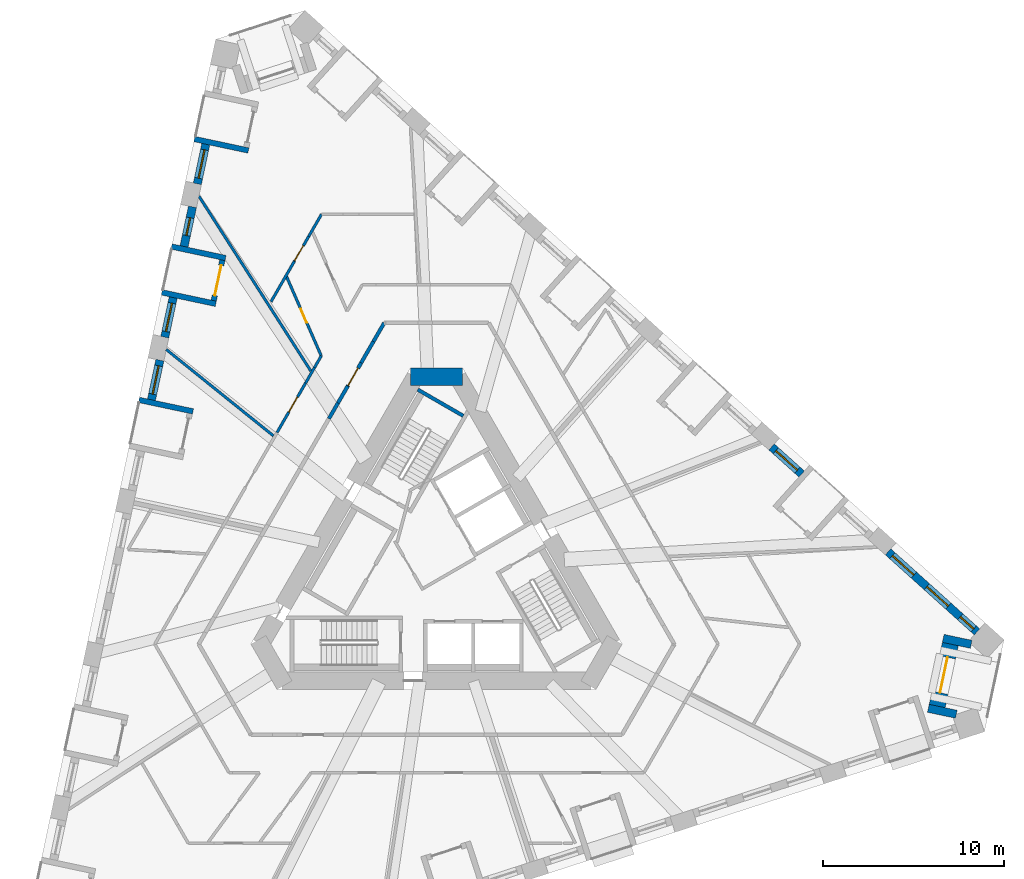
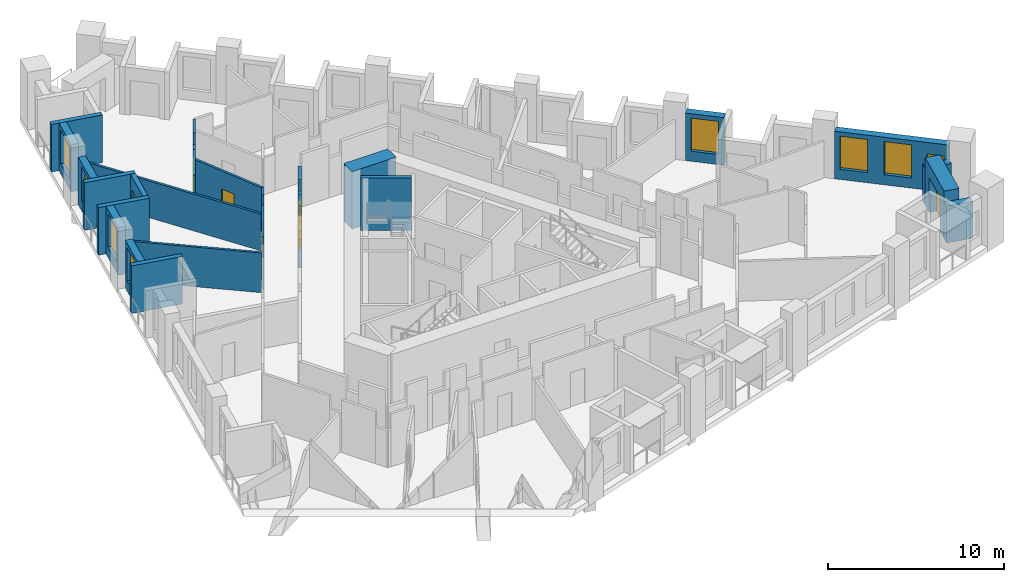
# One storey, part 7 of 12: 30 walls, 8 windows, 6 doors, 14 openings.
"""IFC4 building model written with IfcOpenShell, lengths in metres."""

import ifcopenshell
import ifcopenshell.guid

model = None  # the IFC model being written
_history = None  # IfcOwnerHistory: only IFC2X3 demands one
_inside = {}  # id of a spatial element -> (the spatial element, [elements in it])
_under = {}  # id of a project, library or spatial element -> (it, [spatial elements below it])
_declared = {}  # id of a project -> (the project, [libraries it declares])
_typed = {}  # id of a type object -> (the type object, [elements of that type])
_made_of = {}  # id of a material, layer set ... -> (it, [elements and type objects made of it])


def new_model(schema):
    """Start an empty IFC model of exactly this schema.

    Asked for "IFC4X3", IfcOpenShell would pick the latest addendum, in which some entities
    have other attributes; the version numbers below select the first issue.
    IFC2X3 requires an IfcOwnerHistory on every rooted entity: one is made here for all.
    """
    global model, _history
    if schema == "IFC4X3":
        model = ifcopenshell.file(schema_version=(4, 3, 0, 0))
    else:
        model = ifcopenshell.file(schema=schema)
    _inside.clear()
    _under.clear()
    _declared.clear()
    _typed.clear()
    _made_of.clear()
    _history = None
    if model.schema == "IFC2X3":
        org = make("IfcOrganization", Name="unknown")
        user = make(
            "IfcPersonAndOrganization",
            ThePerson=make("IfcPerson", FamilyName="unknown"),
            TheOrganization=org,
        )
        app = make(
            "IfcApplication",
            ApplicationDeveloper=org,
            Version="unknown",
            ApplicationFullName="unknown",
            ApplicationIdentifier="unknown",
        )
        _history = make(
            "IfcOwnerHistory",
            OwningUser=user,
            OwningApplication=app,
            ChangeAction="ADDED",
            CreationDate=0,
        )
    return model


def make(cls, **values):
    """One entity of the class cls with the attributes given. An attribute that is None is left unset."""
    return model.create_entity(
        cls, **{name: value for name, value in values.items() if value is not None}
    )


def rooted(cls, **values):
    """An entity with a GlobalId (a new one), such as an element, a storey or a relation."""
    return make(cls, GlobalId=ifcopenshell.guid.new(), OwnerHistory=_history, **values)


def si_unit(unit_type, name, prefix=None):
    """IfcSIUnit, for example si_unit("LENGTHUNIT", "METRE", prefix="MILLI")."""
    return make("IfcSIUnit", UnitType=unit_type, Prefix=prefix, Name=name)


def assignment(units):
    """IfcUnitAssignment: the units of a project."""
    return None if units is None else make("IfcUnitAssignment", Units=units)


def point(xyz):
    """IfcCartesianPoint."""
    return None if xyz is None else make("IfcCartesianPoint", Coordinates=xyz)


def direction(xyz):
    """IfcDirection."""
    return None if xyz is None else make("IfcDirection", DirectionRatios=xyz)


def frame(location, z_axis=None, x_axis=None):
    """IfcAxis2Placement3D, a coordinate frame: its origin and axes. An axis left out is left unset."""
    return make(
        "IfcAxis2Placement3D",
        Location=point(location),
        Axis=direction(z_axis),
        RefDirection=direction(x_axis),
    )


def frame_2d(location, x_axis=None):
    """IfcAxis2Placement2D, a coordinate frame in the plane: its origin and x axis."""
    return make(
        "IfcAxis2Placement2D", Location=point(location), RefDirection=direction(x_axis)
    )


def origin():
    """The frame at (0, 0, 0) with its axes left unset."""
    return frame((0.0, 0.0, 0.0))


def place(relative_to, where):
    """IfcLocalPlacement: puts the frame where relative to a parent placement (None: the world)."""
    return make(
        "IfcLocalPlacement", PlacementRelTo=relative_to, RelativePlacement=where
    )


def context(
    kind, dimensions, precision=None, world=None, true_north=None, identifier=None
):
    """IfcGeometricRepresentationContext, for example the 3D "Model" context."""
    return make(
        "IfcGeometricRepresentationContext",
        ContextIdentifier=identifier,
        ContextType=kind,
        CoordinateSpaceDimension=dimensions,
        Precision=precision,
        WorldCoordinateSystem=world,
        TrueNorth=true_north,
    )


def subcontext(parent, identifier, kind, view, scale=None):
    """IfcGeometricRepresentationSubContext, for example "Body" below "Model"."""
    return make(
        "IfcGeometricRepresentationSubContext",
        ContextIdentifier=identifier,
        ContextType=kind,
        ParentContext=parent,
        TargetScale=scale,
        TargetView=view,
    )


def project(units=None, contexts=None):
    """IfcProject with its units and contexts."""
    return rooted(
        "IfcProject",
        Name="project",
        RepresentationContexts=contexts,
        UnitsInContext=assignment(units),
    )


def spatial(cls, under=None, at=None, **own):
    """A site, building, storey or space (cls), placed at a placement, below another one or the project."""
    s = rooted(cls, ObjectPlacement=at, **own)
    if under is not None:
        _under.setdefault(under.id(), (under, []))[1].append(s)
    return s


def polyline(points):
    """IfcPolyline through the points."""
    return make("IfcPolyline", Points=[point(p) for p in points])


def profile(cls, at=None, kind="AREA", **sizes):
    """A parametric profile (cls). Its sizes go by their IFC names, for example OverallWidth=200.0."""
    return make(cls, ProfileType=kind, Position=at, **sizes)


def rectangle(**sizes):
    """IfcRectangleProfileDef."""
    return profile("IfcRectangleProfileDef", **sizes)


def outline(outer, holes=None, kind="AREA"):
    """IfcArbitraryClosedProfileDef: a profile drawn as a closed curve; with holes, ...WithVoids."""
    if holes is None:
        return make("IfcArbitraryClosedProfileDef", ProfileType=kind, OuterCurve=outer)
    return make(
        "IfcArbitraryProfileDefWithVoids",
        ProfileType=kind,
        OuterCurve=outer,
        InnerCurves=holes,
    )


def extrude(swept, where, along, depth):
    """IfcExtrudedAreaSolid: the profile swept, set in the frame where, extruded along a direction by depth."""
    return make(
        "IfcExtrudedAreaSolid",
        SweptArea=swept,
        Position=where,
        ExtrudedDirection=direction(along),
        Depth=depth,
    )


def shape(context_of_items, identifier, shape_type, items):
    """IfcShapeRepresentation: the items that make up one representation, for example the "Body"."""
    return make(
        "IfcShapeRepresentation",
        ContextOfItems=context_of_items,
        RepresentationIdentifier=identifier,
        RepresentationType=shape_type,
        Items=items,
    )


def material(Name=None, Category=None):
    """IfcMaterial."""
    return make("IfcMaterial", Name=Name, Category=Category)


def layer(
    of_material, thickness, ventilated=None, Name=None, Category=None, Priority=None
):
    """IfcMaterialLayer: one layer of a wall or slab, of a material (None: an air gap)."""
    return make(
        "IfcMaterialLayer",
        Material=of_material,
        LayerThickness=thickness,
        IsVentilated=ventilated,
        Name=Name,
        Category=Category,
        Priority=Priority,
    )


def layer_set(layers, Name=None):
    """IfcMaterialLayerSet."""
    return make("IfcMaterialLayerSet", MaterialLayers=layers, LayerSetName=Name)


def made_of(thing, what):
    """Note that an element or type object is made of a material, layer set ...; save() writes the relation."""
    if what is not None:
        _made_of.setdefault(what.id(), (what, []))[1].append(thing)
    return thing


def type_object(cls, material=None, **own):
    """A type object (cls), such as IfcWallType, which elements share."""
    return made_of(rooted(cls, **own), material)


def element(
    cls,
    number,
    at=None,
    inside=None,
    cuts=None,
    type_object=None,
    material=None,
    context=None,
    identifier="Body",
    shape_type=None,
    held_by="IfcProductDefinitionShape",
    body=None,
    shapes=None,
    **own,
):
    """One element of the class cls, such as IfcWall. Its Tag is "e" and its number.

    at: its placement. inside: the storey or other place that contains it. cuts: it is an
    opening in that element (IfcRelVoidsElement). A single representation is given by context,
    identifier, shape_type and body (its items); several are given by shapes. held_by: the class
    of the entity that holds the representations. save() writes the other relations.
    """
    e = rooted(cls, Tag="e%d" % number, ObjectPlacement=at, **own)
    if body is not None:
        shapes = [shape(context, identifier, shape_type, body)]
    if shapes is not None:
        e.Representation = make(held_by, Representations=shapes)
    if inside is not None:
        _inside.setdefault(inside.id(), (inside, []))[1].append(e)
    if cuts is not None:
        rooted(
            "IfcRelVoidsElement", RelatingBuildingElement=cuts, RelatedOpeningElement=e
        )
    if type_object is not None:
        _typed.setdefault(type_object.id(), (type_object, []))[1].append(e)
    return made_of(e, material)


def fill(opening, filler):
    """IfcRelFillsElement: the door or window that sits in an opening."""
    return rooted(
        "IfcRelFillsElement",
        RelatingOpeningElement=opening,
        RelatedBuildingElement=filler,
    )


def aggregate(whole, parts):
    """IfcRelAggregates: a whole, such as a stair, and the parts it consists of."""
    return rooted("IfcRelAggregates", RelatingObject=whole, RelatedObjects=parts)


def save(model, path):
    """Write the relations noted so far, then the file.

    IfcRelAggregates (storeys below a building ...), IfcRelContainedInSpatialStructure (elements
    in a storey), IfcRelDefinesByType, IfcRelAssociatesMaterial and IfcRelDeclares: one each for
    every whole, place, type object, material and project.
    """
    for whole, parts in _under.values():
        aggregate(whole, parts)
    for where, things in _inside.values():
        rooted(
            "IfcRelContainedInSpatialStructure",
            RelatedElements=things,
            RelatingStructure=where,
        )
    for kind, things in _typed.values():
        rooted("IfcRelDefinesByType", RelatedObjects=things, RelatingType=kind)
    for what, things in _made_of.values():
        rooted("IfcRelAssociatesMaterial", RelatedObjects=things, RelatingMaterial=what)
    for by, libraries in _declared.values():
        rooted("IfcRelDeclares", RelatingContext=by, RelatedDefinitions=libraries)
    model.write(path)


model = new_model("IFC4")

# Units and contexts
model_context = context("Model", 3, precision=1e-05, world=origin(), true_north=direction((0.0, 1.0)))
body_context = subcontext(model_context, "Body", "Model", "MODEL_VIEW")
ifc_project = project(units=[si_unit("LENGTHUNIT", "METRE"), si_unit("AREAUNIT", "SQUARE_METRE"), si_unit("VOLUMEUNIT", "CUBIC_METRE"), si_unit("PLANEANGLEUNIT", "RADIAN"), si_unit("MASSUNIT", "GRAM", prefix="KILO")], contexts=[model_context])

# Site, building, storey
site_placement = place(None, origin())
site = spatial("IfcSite", under=ifc_project, at=site_placement, CompositionType="ELEMENT")
building_placement = place(site_placement, origin())
building = spatial("IfcBuilding", under=site, at=building_placement, Name="Tramontana Tower", CompositionType="ELEMENT")
storey_placement = place(building_placement, frame((0.0, 0.0, 88.39990234375)))
storey = spatial("IfcBuildingStorey", under=building, at=storey_placement, Name="L19", CompositionType="ELEMENT", Elevation=88.39990234375)

# Walls
ifc_material_1 = material(Name="Concrete 70 MPa", Category="concrete")
ifc_layer_1 = layer(ifc_material_1, 0.949951171875)
ifc_layer_set_1 = layer_set([ifc_layer_1], Name="Core wall 950 70 MPa")
wall_type_1 = type_object("IfcWallType", Name="Core wall 950 70 MPa", PredefinedType="SHEAR", material=ifc_layer_set_1)
wall_1_placement = place(storey_placement, frame((1.443359375, 10.52490234375, 0.0), z_axis=(0.0, 0.0, 1.0), x_axis=(-1.0, 0.0, 0.0)))
element("IfcWall", 1, at=wall_1_placement, inside=storey, type_object=wall_type_1, Name="Core wall C0 L19", PredefinedType="SHEAR", context=body_context, shape_type="SweptSolid", body=[
    extrude(rectangle(XDim=2.88671875, YDim=0.949951171875, at=frame_2d((1.443359375, 0.0))), origin(), (0.0, 0.0, 1.0), 4.0),
])
ifc_material_2 = material(Name="Blockwork", Category="masonry")
ifc_layer_2 = layer(ifc_material_2, 0.199951171875)
ifc_layer_set_2 = layer_set([ifc_layer_2], Name="ENTRY WALL 200")
wall_type_2 = type_object("IfcWallType", Name="ENTRY WALL 200", PredefinedType="SOLIDWALL", material=ifc_layer_set_2)
wall_2_placement = place(storey_placement, frame((-5.944091796875, 8.20458984375, 0.0), z_axis=(0.0, 0.0, 1.0), x_axis=(0.500051323872, 0.865995769906, 0.0)))
element("IfcWall", 2, at=wall_2_placement, inside=storey, type_object=wall_type_2, Name="Wall v20-ew4-7", PredefinedType="SOLIDWALL", context=body_context, shape_type="SweptSolid", body=[
    extrude(rectangle(XDim=1.0068359375, YDim=0.199951171875, at=frame_2d((0.50341796875, 0.0))), origin(), (0.0, 0.0, 1.0), 2.550048828125),
])
wall_3_placement = place(storey_placement, frame((-5.440673828125, 9.076416015625, 0.0), z_axis=(0.0, 0.0, 1.0), x_axis=(0.499920058375, 0.866071553184, 0.0)))
element("IfcWall", 3, at=wall_3_placement, inside=storey, type_object=wall_type_2, Name="Wall v20-ew4-8", PredefinedType="SOLIDWALL", context=body_context, shape_type="SweptSolid", body=[
    extrude(rectangle(XDim=1.069580078125, YDim=0.199951171875, at=frame_2d((0.53466796875, 0.0))), origin(), (0.0, 0.0, 1.0), 3.650146484375),
])

# Wall, opening, door
wall_4_placement = place(storey_placement, frame((-4.906005859375, 10.002685546875, 0.0), z_axis=(0.0, 0.0, 1.0), x_axis=(0.500096935553, 0.865969430783, 0.0)))
wall_4 = element("IfcWall", 4, at=wall_4_placement, inside=storey, type_object=wall_type_2, Name="Wall v20-ew4-9", PredefinedType="SOLIDWALL", context=body_context, shape_type="SweptSolid", body=[
    extrude(outline(polyline([(0.0, 0.0), (1.486083984375, 0.0), (1.48583984375, 2.550048828125), (0.349853515625, 2.550048828125), (0.349853515625, 3.650146484375), (0.0, 3.650146484375), (0.0, 0.0)])), frame((0.0, 0.10009765625, 0.0), z_axis=(0.0, -1.0, 0.0), x_axis=(1.0, 0.0, 0.0)), (0.0, 0.0, 1.0), 0.199951171875),
])
opening_1_placement = place(wall_4_placement, frame((0.050048828125, 0.0, 0.0)))
opening_1 = element("IfcOpeningElement", 5, at=opening_1_placement, cuts=wall_4, Name="Opening B2A-22", PredefinedType="OPENING", context=body_context, shape_type="SweptSolid", body=[
    extrude(rectangle(XDim=1.10009765625, YDim=2.39990234375, at=frame_2d((0.550048828125, 1.199951171875))), frame((0.0, 0.10986328125, 0.0), z_axis=(0.0, -1.0, 0.0), x_axis=(1.0, 0.0, 0.0)), (0.0, 0.0, 1.0), 0.219970703125),
])
ifc_material_3 = material(Name="Painted timber", Category="wood")
door_type_1 = type_object("IfcDoorType", Name="DOOR ENTRY 1100", OperationType="SINGLE_SWING_LEFT", PredefinedType="DOOR", material=ifc_material_3)
door_1_placement = place(opening_1_placement, origin())
door_1 = element("IfcDoor", 6, at=door_1_placement, inside=storey, type_object=door_type_1, Name="Door B2A-22", OperationType="SINGLE_SWING_RIGHT", OverallHeight=2.39990234375, OverallWidth=1.10009765625, PredefinedType="DOOR", context=body_context, shape_type="SweptSolid", body=[
    extrude(rectangle(XDim=1.10009765625, YDim=2.39990234375, at=frame_2d((0.550048828125, 1.199951171875))), frame((0.0, 0.02490234375, 0.0), z_axis=(0.0, -1.0, 0.0), x_axis=(1.0, 0.0, 0.0)), (0.0, 0.0, 1.0), 0.050048828125),
])
fill(opening_1, door_1)

# Walls
wall_5_placement = place(storey_placement, frame((-4.162841796875, 11.28955078125, 0.0), z_axis=(0.0, 0.0, 1.0), x_axis=(0.499903734186, 0.866080975745, 0.0)))
element("IfcWall", 7, at=wall_5_placement, inside=storey, type_object=wall_type_2, Name="Wall v20-ew4-10", PredefinedType="SOLIDWALL", context=body_context, shape_type="SweptSolid", body=[
    extrude(rectangle(XDim=1.360107421875, YDim=0.199951171875, at=frame_2d((0.68017578125, 0.0))), origin(), (0.0, 0.0, 1.0), 3.650146484375),
])
wall_6_placement = place(storey_placement, frame((-3.48291015625, 12.467529296875, 0.0), z_axis=(0.0, 0.0, 1.0), x_axis=(0.500059236744, 0.865991200733, 0.0)))
element("IfcWall", 8, at=wall_6_placement, inside=storey, type_object=wall_type_2, Name="Wall v20-ew4-11", PredefinedType="SOLIDWALL", context=body_context, shape_type="SweptSolid", body=[
    extrude(rectangle(XDim=1.192138671875, YDim=0.199951171875, at=frame_2d((0.59619140625, 0.0))), origin(), (0.0, 0.0, 1.0), 2.550048828125),
])

# Wall, opening, window
ifc_material_4 = material(Name="Precast concrete 60 MPa", Category="concrete")
ifc_layer_3 = layer(ifc_material_4, 0.449951171875)
ifc_layer_set_3 = layer_set([ifc_layer_3], Name="Precast concrete 60 MPa, 450 mm")
wall_type_3 = type_object("IfcWallType", Name="EW1 Stone-faced precast wall 450", PredefinedType="SOLIDWALL", material=ifc_layer_set_3)
wall_7_placement = place(storey_placement, frame((-12.7451171875, 23.36767578125, 0.0), z_axis=(0.0, 0.0, 1.0), x_axis=(-0.207941001029, -0.978141370197, 0.0)))
wall_7 = element("IfcWall", 9, at=wall_7_placement, inside=storey, type_object=wall_type_3, Name="External wall L19 face 0 bay 1", PredefinedType="SOLIDWALL", context=body_context, shape_type="SweptSolid", body=[
    extrude(rectangle(XDim=2.236572265625, YDim=0.449951171875, at=frame_2d((1.1181640625, 0.0))), origin(), (0.0, 0.0, 1.0), 3.300048828125),
])
opening_2_placement = place(wall_7_placement, frame((0.318359375, 0.0, 0.699951171875)))
opening_2 = element("IfcOpeningElement", 10, at=opening_2_placement, cuts=wall_7, Name="Opening M1", PredefinedType="OPENING", context=body_context, shape_type="SweptSolid", body=[
    extrude(rectangle(XDim=1.60009765625, YDim=2.300048828125, at=frame_2d((0.800048828125, 1.14990234375))), frame((0.0, 0.23486328125, 0.0), z_axis=(0.0, -1.0, 0.0), x_axis=(1.0, 0.0, 0.0)), (0.0, 0.0, 1.0), 0.469970703125),
])
ifc_material_5 = material(Name="Aluminum frame, double glazing unit", Category="aluminium")
window_type_1 = type_object("IfcWindowType", Name="M1 Window 1.6 x 2.3", PartitioningType="SINGLE_PANEL", PredefinedType="WINDOW", material=ifc_material_5)
window_1_placement = place(opening_2_placement, origin())
window_1 = element("IfcWindow", 11, at=window_1_placement, inside=storey, type_object=window_type_1, Name="Window M1 L19 face 0 module 3", OverallHeight=2.300048828125, OverallWidth=1.60009765625, PartitioningType="SINGLE_PANEL", PredefinedType="WINDOW", context=body_context, shape_type="SweptSolid", body=[
    extrude(rectangle(XDim=1.60009765625, YDim=2.300048828125, at=frame_2d((0.800048828125, 1.14990234375))), frame((0.0, 0.030029296875, 0.0), z_axis=(0.0, -1.0, 0.0), x_axis=(1.0, 0.0, 0.0)), (0.0, 0.0, 1.0), 0.06005859375),
])
fill(opening_2, window_1)

wall_8_placement = place(storey_placement, frame((-13.48046875, 19.908203125, 0.0), z_axis=(0.0, 0.0, 1.0), x_axis=(-0.207941001029, -0.978141370197, 0.0)))
wall_8 = element("IfcWall", 12, at=wall_8_placement, inside=storey, type_object=wall_type_3, Name="External wall L19 face 0 bay 2", PredefinedType="SOLIDWALL", context=body_context, shape_type="SweptSolid", body=[
    extrude(rectangle(XDim=2.236572265625, YDim=0.449951171875, at=frame_2d((1.1181640625, 0.0))), origin(), (0.0, 0.0, 1.0), 3.300048828125),
])
opening_3_placement = place(wall_8_placement, frame((0.618408203125, 0.0, 0.699951171875)))
opening_3 = element("IfcOpeningElement", 13, at=opening_3_placement, cuts=wall_8, Name="Opening N1", PredefinedType="OPENING", context=body_context, shape_type="SweptSolid", body=[
    extrude(rectangle(XDim=1.0, YDim=2.300048828125, at=frame_2d((0.5, 1.14990234375))), frame((0.0, 0.23486328125, 0.0), z_axis=(0.0, -1.0, 0.0), x_axis=(1.0, 0.0, 0.0)), (0.0, 0.0, 1.0), 0.469970703125),
])
ifc_material_6 = material(Name="Aluminum frame, double glazing unit", Category="aluminium")
window_type_2 = type_object("IfcWindowType", Name="N1 Window 1 x 2.3", PartitioningType="SINGLE_PANEL", PredefinedType="WINDOW", material=ifc_material_6)
window_2_placement = place(opening_3_placement, origin())
window_2 = element("IfcWindow", 14, at=window_2_placement, inside=storey, type_object=window_type_2, Name="Window N1 L19 face 0 module 4", OverallHeight=2.300048828125, OverallWidth=1.0, PartitioningType="SINGLE_PANEL", PredefinedType="WINDOW", context=body_context, shape_type="SweptSolid", body=[
    extrude(rectangle(XDim=1.0, YDim=2.300048828125, at=frame_2d((0.5, 1.14990234375))), frame((0.0, 0.030029296875, 0.0), z_axis=(0.0, -1.0, 0.0), x_axis=(1.0, 0.0, 0.0)), (0.0, 0.0, 1.0), 0.06005859375),
])
fill(opening_3, window_2)

wall_9_placement = place(storey_placement, frame((-14.545654296875, 14.896728515625, 0.0), z_axis=(0.0, 0.0, 1.0), x_axis=(-0.207941001029, -0.978141370197, 0.0)))
wall_9 = element("IfcWall", 15, at=wall_9_placement, inside=storey, type_object=wall_type_3, Name="External wall L19 face 0 bay 2", PredefinedType="SOLIDWALL", context=body_context, shape_type="SweptSolid", body=[
    extrude(rectangle(XDim=2.236572265625, YDim=0.449951171875, at=frame_2d((1.1181640625, 0.0))), origin(), (0.0, 0.0, 1.0), 3.300048828125),
])
opening_4_placement = place(wall_9_placement, frame((0.318359375, 0.0, 0.699951171875)))
opening_4 = element("IfcOpeningElement", 16, at=opening_4_placement, cuts=wall_9, Name="Opening M1", PredefinedType="OPENING", context=body_context, shape_type="SweptSolid", body=[
    extrude(rectangle(XDim=1.60009765625, YDim=2.300048828125, at=frame_2d((0.800048828125, 1.14990234375))), frame((0.0, 0.23486328125, 0.0), z_axis=(0.0, -1.0, 0.0), x_axis=(1.0, 0.0, 0.0)), (0.0, 0.0, 1.0), 0.469970703125),
])
window_3_placement = place(opening_4_placement, origin())
window_3 = element("IfcWindow", 17, at=window_3_placement, inside=storey, type_object=window_type_1, Name="Window M1 L19 face 0 module 6", OverallHeight=2.300048828125, OverallWidth=1.60009765625, PartitioningType="SINGLE_PANEL", PredefinedType="WINDOW", context=body_context, shape_type="SweptSolid", body=[
    extrude(rectangle(XDim=1.60009765625, YDim=2.300048828125, at=frame_2d((0.800048828125, 1.14990234375))), frame((0.0, 0.030029296875, 0.0), z_axis=(0.0, -1.0, 0.0), x_axis=(1.0, 0.0, 0.0)), (0.0, 0.0, 1.0), 0.06005859375),
])
fill(opening_4, window_3)

wall_10_placement = place(storey_placement, frame((-15.281005859375, 11.437255859375, 0.0), z_axis=(0.0, 0.0, 1.0), x_axis=(-0.207941001029, -0.978141370197, 0.0)))
wall_10 = element("IfcWall", 18, at=wall_10_placement, inside=storey, type_object=wall_type_3, Name="External wall L19 face 0 bay 3", PredefinedType="SOLIDWALL", context=body_context, shape_type="SweptSolid", body=[
    extrude(rectangle(XDim=2.236572265625, YDim=0.449951171875, at=frame_2d((1.1181640625, 0.0))), origin(), (0.0, 0.0, 1.0), 3.300048828125),
])
opening_5_placement = place(wall_10_placement, frame((0.318359375, 0.0, 0.699951171875)))
opening_5 = element("IfcOpeningElement", 19, at=opening_5_placement, cuts=wall_10, Name="Opening M1", PredefinedType="OPENING", context=body_context, shape_type="SweptSolid", body=[
    extrude(rectangle(XDim=1.60009765625, YDim=2.300048828125, at=frame_2d((0.800048828125, 1.14990234375))), frame((0.0, 0.23486328125, 0.0), z_axis=(0.0, -1.0, 0.0), x_axis=(1.0, 0.0, 0.0)), (0.0, 0.0, 1.0), 0.469970703125),
])
window_4_placement = place(opening_5_placement, origin())
window_4 = element("IfcWindow", 20, at=window_4_placement, inside=storey, type_object=window_type_1, Name="Window M1 L19 face 0 module 7", OverallHeight=2.300048828125, OverallWidth=1.60009765625, PartitioningType="SINGLE_PANEL", PredefinedType="WINDOW", context=body_context, shape_type="SweptSolid", body=[
    extrude(rectangle(XDim=1.60009765625, YDim=2.300048828125, at=frame_2d((0.800048828125, 1.14990234375))), frame((0.0, 0.030029296875, 0.0), z_axis=(0.0, -1.0, 0.0), x_axis=(1.0, 0.0, 0.0)), (0.0, 0.0, 1.0), 0.06005859375),
])
fill(opening_5, window_4)

# Wall, openings, windows
wall_11_placement = place(storey_placement, frame((29.85986328125, -3.57275390625, 0.0), z_axis=(0.0, 0.0, 1.0), x_axis=(-0.743161908204, 0.669111633582, 0.0)))
wall_11 = element("IfcWall", 21, at=wall_11_placement, inside=storey, type_object=wall_type_3, Name="External wall L19 face 2 bay 1", PredefinedType="SOLIDWALL", context=body_context, shape_type="SweptSolid", body=[
    extrude(rectangle(XDim=6.6103515625, YDim=0.449951171875, at=frame_2d((3.30517578125, 0.0))), origin(), (0.0, 0.0, 1.0), 3.300048828125),
])
opening_6_placement = place(wall_11_placement, frame((0.243408203125, 0.0, 0.699951171875)))
opening_6 = element("IfcOpeningElement", 22, at=opening_6_placement, cuts=wall_11, Name="Opening N1L", PredefinedType="OPENING", context=body_context, shape_type="SweptSolid", body=[
    extrude(rectangle(XDim=1.0, YDim=1.800048828125, at=frame_2d((0.5, 0.89990234375))), frame((0.0, 0.23486328125, 0.0), z_axis=(0.0, -1.0, 0.0), x_axis=(1.0, 0.0, 0.0)), (0.0, 0.0, 1.0), 0.469970703125),
])
opening_7_placement = place(wall_11_placement, frame((2.130126953125, 0.0, 0.699951171875)))
opening_7 = element("IfcOpeningElement", 23, at=opening_7_placement, cuts=wall_11, Name="Opening M1", PredefinedType="OPENING", context=body_context, shape_type="SweptSolid", body=[
    extrude(rectangle(XDim=1.60009765625, YDim=2.300048828125, at=frame_2d((0.800048828125, 1.14990234375))), frame((0.0, 0.23486328125, 0.0), z_axis=(0.0, -1.0, 0.0), x_axis=(1.0, 0.0, 0.0)), (0.0, 0.0, 1.0), 0.469970703125),
])
opening_8_placement = place(wall_11_placement, frame((4.69189453125, 0.0, 0.699951171875)))
opening_8 = element("IfcOpeningElement", 24, at=opening_8_placement, cuts=wall_11, Name="Opening M1", PredefinedType="OPENING", context=body_context, shape_type="SweptSolid", body=[
    extrude(rectangle(XDim=1.60009765625, YDim=2.300048828125, at=frame_2d((0.800048828125, 1.14990234375))), frame((0.0, 0.23486328125, 0.0), z_axis=(0.0, -1.0, 0.0), x_axis=(1.0, 0.0, 0.0)), (0.0, 0.0, 1.0), 0.469970703125),
])
window_5_placement = place(opening_7_placement, origin())
window_5 = element("IfcWindow", 25, at=window_5_placement, inside=storey, type_object=window_type_1, Name="Window M1 L19 face 2 module 2", OverallHeight=2.300048828125, OverallWidth=1.60009765625, PartitioningType="SINGLE_PANEL", PredefinedType="WINDOW", context=body_context, shape_type="SweptSolid", body=[
    extrude(rectangle(XDim=1.60009765625, YDim=2.300048828125, at=frame_2d((0.800048828125, 1.14990234375))), frame((0.0, 0.030029296875, 0.0), z_axis=(0.0, -1.0, 0.0), x_axis=(1.0, 0.0, 0.0)), (0.0, 0.0, 1.0), 0.06005859375),
])
fill(opening_7, window_5)
window_6_placement = place(opening_8_placement, origin())
window_6 = element("IfcWindow", 26, at=window_6_placement, inside=storey, type_object=window_type_1, Name="Window M1 L19 face 2 module 3", OverallHeight=2.300048828125, OverallWidth=1.60009765625, PartitioningType="SINGLE_PANEL", PredefinedType="WINDOW", context=body_context, shape_type="SweptSolid", body=[
    extrude(rectangle(XDim=1.60009765625, YDim=2.300048828125, at=frame_2d((0.800048828125, 1.14990234375))), frame((0.0, 0.030029296875, 0.0), z_axis=(0.0, -1.0, 0.0), x_axis=(1.0, 0.0, 0.0)), (0.0, 0.0, 1.0), 0.06005859375),
])
fill(opening_8, window_6)
ifc_material_7 = material(Name="Aluminum frame, double glazing unit", Category="aluminium")
window_type_3 = type_object("IfcWindowType", Name="N1L Window 1 x 1.8", PartitioningType="SINGLE_PANEL", PredefinedType="WINDOW", material=ifc_material_7)
window_7_placement = place(opening_6_placement, origin())
window_7 = element("IfcWindow", 27, at=window_7_placement, inside=storey, type_object=window_type_3, Name="Window N1L L19 face 2 module 1", OverallHeight=1.800048828125, OverallWidth=1.0, PartitioningType="SINGLE_PANEL", PredefinedType="WINDOW", context=body_context, shape_type="SweptSolid", body=[
    extrude(rectangle(XDim=1.0, YDim=1.800048828125, at=frame_2d((0.5, 0.89990234375))), frame((0.0, 0.030029296875, 0.0), z_axis=(0.0, -1.0, 0.0), x_axis=(1.0, 0.0, 0.0)), (0.0, 0.0, 1.0), 0.06005859375),
])
fill(opening_6, window_7)

# Wall, opening, window
wall_12_placement = place(storey_placement, frame((20.173828125, 5.1484375, 0.0), z_axis=(0.0, 0.0, 1.0), x_axis=(-0.743136746477, 0.669139578889, 0.0)))
wall_12 = element("IfcWall", 28, at=wall_12_placement, inside=storey, type_object=wall_type_3, Name="External wall L19 face 2 bay 2", PredefinedType="SOLIDWALL", context=body_context, shape_type="SweptSolid", body=[
    extrude(rectangle(XDim=2.237060546875, YDim=0.449951171875, at=frame_2d((1.11865234375, 0.0))), origin(), (0.0, 0.0, 1.0), 3.300048828125),
])
opening_9_placement = place(wall_12_placement, frame((0.318359375, 0.0, 0.699951171875)))
opening_9 = element("IfcOpeningElement", 29, at=opening_9_placement, cuts=wall_12, Name="Opening M1", PredefinedType="OPENING", context=body_context, shape_type="SweptSolid", body=[
    extrude(rectangle(XDim=1.60009765625, YDim=2.300048828125, at=frame_2d((0.800048828125, 1.14990234375))), frame((0.0, 0.23486328125, 0.0), z_axis=(0.0, -1.0, 0.0), x_axis=(1.0, 0.0, 0.0)), (0.0, 0.0, 1.0), 0.469970703125),
])
window_8_placement = place(opening_9_placement, origin())
window_8 = element("IfcWindow", 30, at=window_8_placement, inside=storey, type_object=window_type_1, Name="Window M1 L19 face 2 module 6", OverallHeight=2.300048828125, OverallWidth=1.60009765625, PartitioningType="SINGLE_PANEL", PredefinedType="WINDOW", context=body_context, shape_type="SweptSolid", body=[
    extrude(rectangle(XDim=1.60009765625, YDim=2.300048828125, at=frame_2d((0.800048828125, 1.14990234375))), frame((0.0, 0.030029296875, 0.0), z_axis=(0.0, -1.0, 0.0), x_axis=(1.0, 0.0, 0.0)), (0.0, 0.0, 1.0), 0.06005859375),
])
fill(opening_9, window_8)

# Walls
for number, where, z_axis, x_axis, name in (
    (31, (29.5390625, -4.259521484375, 0.0), (0.0, 0.0, 1.0), (-0.978142738706, 0.207934563547, 0.0), "Corner loggia side wall L19 K22l"),
    (32, (28.7177734375, -8.123291015625, 0.0), (0.0, 0.0, 1.0), (-0.978142738706, 0.207934563547, 0.0), "Corner loggia side wall L19 K22r"),
):
    element("IfcWall", number, at=place(storey_placement, frame(where, z_axis=z_axis, x_axis=x_axis)), inside=storey, type_object=wall_type_3, Name=name, PredefinedType="SOLIDWALL", context=body_context, shape_type="SweptSolid", body=[
        extrude(rectangle(XDim=1.5791015625, YDim=0.449951171875, at=frame_2d((0.78955078125, 0.0))), origin(), (0.0, 0.0, 1.0), 2.550048828125),
    ])

# Wall, opening, door
ifc_material_8 = material(Name="Precast concrete 60 MPa", Category="concrete")
ifc_layer_4 = layer(ifc_material_8, 0.89990234375)
ifc_layer_set_4 = layer_set([ifc_layer_4], Name="EW2 Stone-faced corner loggia wall 900")
wall_type_4 = type_object("IfcWallType", Name="EW2 Stone-faced corner loggia wall 900", PredefinedType="SOLIDWALL", material=ifc_layer_set_4)
wall_13_placement = place(storey_placement, frame((28.3876953125, -4.244873046875, 0.0), z_axis=(0.0, 0.0, 1.0), x_axis=(-0.207866264069, -0.978157255385, 0.0)))
wall_13 = element("IfcWall", 33, at=wall_13_placement, inside=storey, type_object=wall_type_4, Name="Corner loggia wall L19 K22", PredefinedType="SOLIDWALL", context=body_context, shape_type="SweptSolid", body=[
    extrude(rectangle(XDim=3.5, YDim=0.89990234375, at=frame_2d((1.75, 0.0))), origin(), (0.0, 0.0, 1.0), 3.300048828125),
])
opening_10_placement = place(wall_13_placement, frame((0.75, 0.0, 0.0)))
opening_10 = element("IfcOpeningElement", 34, at=opening_10_placement, cuts=wall_13, Name="Opening BD-22C", PredefinedType="OPENING", context=body_context, shape_type="SweptSolid", body=[
    extrude(rectangle(XDim=2.0, YDim=2.39990234375, at=frame_2d((1.0, 1.199951171875))), frame((0.0, 0.4599609375, 0.0), z_axis=(0.0, -1.0, 0.0), x_axis=(1.0, 0.0, 0.0)), (0.0, 0.0, 1.0), 0.919921875),
])
ifc_material_9 = material(Name="Aluminum frame, double glazing unit", Category="aluminium")
door_type_2 = type_object("IfcDoorType", Name="BC1 Sliding door 2 x 2.4", OperationType="SLIDING_TO_LEFT", PredefinedType="DOOR", material=ifc_material_9)
door_2_placement = place(opening_10_placement, origin())
door_2 = element("IfcDoor", 35, at=door_2_placement, inside=storey, type_object=door_type_2, Name="Corner loggia door L19 K22", OperationType="SLIDING_TO_LEFT", OverallHeight=2.39990234375, OverallWidth=2.0, PredefinedType="DOOR", context=body_context, shape_type="SweptSolid", body=[
    extrude(rectangle(XDim=2.0, YDim=2.39990234375, at=frame_2d((1.0, 1.199951171875))), frame((0.0, 0.02490234375, 0.0), z_axis=(0.0, -1.0, 0.0), x_axis=(1.0, 0.0, 0.0)), (0.0, 0.0, 1.0), 0.050048828125),
])
fill(opening_10, door_2)

# Wall
ifc_material_10 = material(Name="Precast concrete 60 MPa", Category="concrete")
ifc_layer_5 = layer(ifc_material_10, 0.300048828125)
ifc_layer_set_5 = layer_set([ifc_layer_5], Name="LW1 Stone-faced loggia wall 300")
wall_type_5 = type_object("IfcWallType", Name="LW1 Stone-faced loggia wall 300", PredefinedType="SOLIDWALL", material=ifc_layer_set_5)
wall_14_placement = place(storey_placement, frame((-13.3740234375, 23.65478515625, 0.0), z_axis=(0.0, 0.0, 1.0), x_axis=(0.978151322619, -0.207894179953, 0.0)))
element("IfcWall", 36, at=wall_14_placement, inside=storey, type_object=wall_type_5, Name="Loggia return L19 G2S0.1b", PredefinedType="SOLIDWALL", context=body_context, shape_type="SweptSolid", body=[
    extrude(rectangle(XDim=3.0498046875, YDim=0.300048828125, at=frame_2d((1.52490234375, 0.0))), origin(), (0.0, 0.0, 1.0), 3.300048828125),
])

# Wall, opening, door
wall_15_placement = place(storey_placement, frame((-11.83154296875, 16.96435546875, 0.0), z_axis=(0.0, 0.0, 1.0), x_axis=(-0.207866417042, -0.978157222877, 0.0)))
wall_15 = element("IfcWall", 37, at=wall_15_placement, inside=storey, type_object=wall_type_5, Name="Loggia wall L19 G2S0.4", PredefinedType="SOLIDWALL", context=body_context, shape_type="SweptSolid", body=[
    extrude(rectangle(XDim=2.286865234375, YDim=0.300048828125, at=frame_2d((1.1435546875, 0.0))), origin(), (0.0, 0.0, 1.0), 3.300048828125),
])
opening_11_placement = place(wall_15_placement, frame((0.29345703125, 0.0, 0.0)))
opening_11 = element("IfcOpeningElement", 38, at=opening_11_placement, cuts=wall_15, Name="Opening BD-2S0-04", PredefinedType="OPENING", context=body_context, shape_type="SweptSolid", body=[
    extrude(rectangle(XDim=1.699951171875, YDim=2.39990234375, at=frame_2d((0.85009765625, 1.199951171875))), frame((0.0, 0.159912109375, 0.0), z_axis=(0.0, -1.0, 0.0), x_axis=(1.0, 0.0, 0.0)), (0.0, 0.0, 1.0), 0.320068359375),
])
ifc_material_11 = material(Name="Aluminum frame, double glazing unit", Category="aluminium")
door_type_3 = type_object("IfcDoorType", Name="BD1 Sliding door 1.7 x 2.4", OperationType="SLIDING_TO_LEFT", PredefinedType="DOOR", material=ifc_material_11)
door_3_placement = place(opening_11_placement, origin())
door_3 = element("IfcDoor", 39, at=door_3_placement, inside=storey, type_object=door_type_3, Name="Loggia door L19 G2S0.4", OperationType="SLIDING_TO_LEFT", OverallHeight=2.39990234375, OverallWidth=1.699951171875, PredefinedType="DOOR", context=body_context, shape_type="SweptSolid", body=[
    extrude(rectangle(XDim=1.699951171875, YDim=2.39990234375, at=frame_2d((0.85009765625, 1.199951171875))), frame((0.0, 0.02490234375, 0.0), z_axis=(0.0, -1.0, 0.0), x_axis=(1.0, 0.0, 0.0)), (0.0, 0.0, 1.0), 0.050048828125),
])
fill(opening_11, door_3)

# Walls
for number, where, z_axis, x_axis, name in (
    (40, (-14.636962890625, 17.714111328125, 0.0), (0.0, 0.0, 1.0), (0.978138503145, -0.207954487003, 0.0), "Loggia return L19 G2S0.4a"),
    (41, (-15.1748046875, 15.183837890625, 0.0), (0.0, 0.0, 1.0), (0.978138503145, -0.207954487003, 0.0), "Loggia return L19 G2S0.4b"),
    (42, (-16.4375, 9.242919921875, 0.0), (0.0, 0.0, 1.0), (0.978154782045, -0.207877902534, 0.0), "Loggia return L19 G2S0.7a"),
):
    element("IfcWall", number, at=place(storey_placement, frame(where, z_axis=z_axis, x_axis=x_axis)), inside=storey, type_object=wall_type_5, Name=name, PredefinedType="SOLIDWALL", context=body_context, shape_type="SweptSolid", body=[
        extrude(rectangle(XDim=3.050048828125, YDim=0.300048828125, at=frame_2d((1.52490234375, 0.0))), origin(), (0.0, 0.0, 1.0), 3.300048828125),
    ])

# Wall, opening, door
ifc_material_12 = material(Name="Gypsum board partition")
ifc_layer_6 = layer(ifc_material_12, 0.14990234375)
ifc_layer_set_6 = layer_set([ifc_layer_6], Name="PARTITION 150")
wall_type_6 = type_object("IfcWallType", Name="PARTITION 150", PredefinedType="PARTITIONING", material=ifc_layer_set_6)
wall_16_placement = place(storey_placement, frame((-8.809326171875, 7.44189453125, 0.0), z_axis=(0.0, 0.0, 1.0), x_axis=(0.500003371769, 0.866023457084, 0.0)))
wall_16 = element("IfcWall", 43, at=wall_16_placement, inside=storey, type_object=wall_type_6, Name="Wall v20-pw02-5", PredefinedType="PARTITIONING", context=body_context, shape_type="SweptSolid", body=[
    extrude(rectangle(XDim=3.15966796875, YDim=0.14990234375, at=frame_2d((1.579833984375, 0.0))), origin(), (0.0, 0.0, 1.0), 3.650146484375),
])
opening_12_placement = place(wall_16_placement, frame((1.30712890625, 0.0, 0.0)))
opening_12 = element("IfcOpeningElement", 44, at=opening_12_placement, cuts=wall_16, Name="Opening B2A-05", PredefinedType="OPENING", context=body_context, shape_type="SweptSolid", body=[
    extrude(rectangle(XDim=0.949951171875, YDim=2.39990234375, at=frame_2d((0.47509765625, 1.199951171875))), frame((0.0, 0.0849609375, 0.0), z_axis=(0.0, -1.0, 0.0), x_axis=(1.0, 0.0, 0.0)), (0.0, 0.0, 1.0), 0.169921875),
])
ifc_material_13 = material(Name="Painted timber", Category="wood")
door_type_4 = type_object("IfcDoorType", Name="DOOR ROOM 950", OperationType="SINGLE_SWING_LEFT", PredefinedType="DOOR", material=ifc_material_13)
door_4_placement = place(opening_12_placement, origin())
door_4 = element("IfcDoor", 45, at=door_4_placement, inside=storey, type_object=door_type_4, Name="Door B2A-05", OperationType="SINGLE_SWING_LEFT", OverallHeight=2.39990234375, OverallWidth=0.949951171875, PredefinedType="DOOR", context=body_context, shape_type="SweptSolid", body=[
    extrude(rectangle(XDim=0.949951171875, YDim=2.39990234375, at=frame_2d((0.47509765625, 1.199951171875))), frame((0.0, 0.02490234375, 0.0), z_axis=(0.0, -1.0, 0.0), x_axis=(1.0, 0.0, 0.0)), (0.0, 0.0, 1.0), 0.050048828125),
])
fill(opening_12, door_4)

# Walls
wall_17_placement = place(storey_placement, frame((-7.2294921875, 10.17822265625, 0.0), z_axis=(0.0, 0.0, 1.0), x_axis=(0.500082280366, 0.865977893981, 0.0)))
element("IfcWall", 46, at=wall_17_placement, inside=storey, type_object=wall_type_6, Name="Wall v20-pw02-6", PredefinedType="PARTITIONING", context=body_context, shape_type="SweptSolid", body=[
    extrude(rectangle(XDim=0.978759765625, YDim=0.14990234375, at=frame_2d((0.4892578125, 0.0))), origin(), (0.0, 0.0, 1.0), 2.550048828125),
])
wall_18_placement = place(storey_placement, frame((-6.739990234375, 11.02587890625, 0.0), z_axis=(0.0, 0.0, 1.0), x_axis=(0.499826079786, 0.866125793385, 0.0)))
element("IfcWall", 47, at=wall_18_placement, inside=storey, type_object=wall_type_6, Name="Wall v20-pw02-7", PredefinedType="PARTITIONING", context=body_context, shape_type="SweptSolid", body=[
    extrude(rectangle(XDim=0.747802734375, YDim=0.14990234375, at=frame_2d((0.3740234375, 0.0))), origin(), (0.0, 0.0, 1.0), 3.650146484375),
])
wall_19_placement = place(storey_placement, frame((-9.14013671875, 14.6689453125, 0.0), z_axis=(0.0, 0.0, 1.0), x_axis=(0.500016107458, 0.866016103939, 0.0)))
element("IfcWall", 48, at=wall_19_placement, inside=storey, type_object=wall_type_6, Name="Wall v20-pw09-1", PredefinedType="PARTITIONING", context=body_context, shape_type="SweptSolid", body=[
    extrude(rectangle(XDim=2.56689453125, YDim=0.14990234375, at=frame_2d((1.283447265625, 0.0))), origin(), (0.0, 0.0, 1.0), 3.650146484375),
])

# Wall, opening, door
wall_20_placement = place(storey_placement, frame((-7.856689453125, 16.891845703125, 0.0), z_axis=(0.0, 0.0, 1.0), x_axis=(0.499973003918, 0.866040989419, 0.0)))
wall_20 = element("IfcWall", 49, at=wall_20_placement, inside=storey, type_object=wall_type_6, Name="Wall v20-pw09-2", PredefinedType="PARTITIONING", context=body_context, shape_type="SweptSolid", body=[
    extrude(outline(polyline([(0.0, 0.0), (1.6025390625, 0.0), (1.6025390625, 2.550048828125), (0.497802734375, 2.550048828125), (0.497802734375, 3.650146484375), (0.0, 3.650146484375), (0.0, 0.0)])), frame((0.0, 0.074951171875, 0.0), z_axis=(0.0, -1.0, 0.0), x_axis=(1.0, 0.0, 0.0)), (0.0, 0.0, 1.0), 0.14990234375),
])
opening_13_placement = place(wall_20_placement, frame((0.050048828125, 0.0, 0.0)))
opening_13 = element("IfcOpeningElement", 50, at=opening_13_placement, cuts=wall_20, Name="Opening B2A-03", PredefinedType="OPENING", context=body_context, shape_type="SweptSolid", body=[
    extrude(rectangle(XDim=0.949951171875, YDim=2.39990234375, at=frame_2d((0.47509765625, 1.199951171875))), frame((0.0, 0.0849609375, 0.0), z_axis=(0.0, -1.0, 0.0), x_axis=(1.0, 0.0, 0.0)), (0.0, 0.0, 1.0), 0.169921875),
])
door_5_placement = place(opening_13_placement, origin())
door_5 = element("IfcDoor", 51, at=door_5_placement, inside=storey, type_object=door_type_4, Name="Door B2A-03", OperationType="SINGLE_SWING_LEFT", OverallHeight=2.39990234375, OverallWidth=0.949951171875, PredefinedType="DOOR", context=body_context, shape_type="SweptSolid", body=[
    extrude(rectangle(XDim=0.949951171875, YDim=2.39990234375, at=frame_2d((0.47509765625, 1.199951171875))), frame((0.0, 0.02490234375, 0.0), z_axis=(0.0, -1.0, 0.0), x_axis=(1.0, 0.0, 0.0)), (0.0, 0.0, 1.0), 0.050048828125),
])
fill(opening_13, door_5)

# Walls
wall_21_placement = place(storey_placement, frame((-7.055419921875, 18.27978515625, 0.0), z_axis=(0.0, 0.0, 1.0), x_axis=(0.500052415518, 0.865995139556, 0.0)))
element("IfcWall", 52, at=wall_21_placement, inside=storey, type_object=wall_type_6, Name="Wall v20-pw09-3", PredefinedType="PARTITIONING", context=body_context, shape_type="SweptSolid", body=[
    extrude(rectangle(XDim=1.408935546875, YDim=0.14990234375, at=frame_2d((0.70458984375, 0.0))), origin(), (0.0, 0.0, 1.0), 3.650146484375),
])
wall_22_placement = place(storey_placement, frame((-9.00390625, 7.2548828125, 0.0), z_axis=(0.0, 0.0, 1.0), x_axis=(-0.778684200607, 0.627416062692, 0.0)))
element("IfcWall", 53, at=wall_22_placement, inside=storey, type_object=wall_type_6, Name="Wall v20-pw10-0", PredefinedType="PARTITIONING", context=body_context, shape_type="SweptSolid", body=[
    extrude(rectangle(XDim=7.60498046875, YDim=0.14990234375, at=frame_2d((3.802490234375, 0.0))), origin(), (0.0, 0.0, 1.0), 2.75),
])
wall_23_placement = place(storey_placement, frame((-6.9375, 10.833984375, 0.0), z_axis=(0.0, 0.0, 1.0), x_axis=(-0.539252318239, 0.842144249683, 0.0)))
element("IfcWall", 54, at=wall_23_placement, inside=storey, type_object=wall_type_6, Name="Wall v20-pw13-0", PredefinedType="PARTITIONING", context=body_context, shape_type="SweptSolid", body=[
    extrude(rectangle(XDim=11.474609375, YDim=0.14990234375, at=frame_2d((5.7373046875, 0.0))), origin(), (0.0, 0.0, 1.0), 2.550048828125),
])

# Wall, opening, door
wall_24_placement = place(storey_placement, frame((-6.365966796875, 11.67529296875, 0.0), z_axis=(0.0, 0.0, 1.0), x_axis=(-0.401014713365, 0.916071612738, 0.0)))
wall_24 = element("IfcWall", 55, at=wall_24_placement, inside=storey, type_object=wall_type_6, Name="Wall v20-pw15", PredefinedType="PARTITIONING", context=body_context, shape_type="SweptSolid", body=[
    extrude(rectangle(XDim=4.838134765625, YDim=0.14990234375, at=frame_2d((2.4189453125, 0.0))), origin(), (0.0, 0.0, 1.0), 3.650146484375),
])
opening_14_placement = place(wall_24_placement, frame((1.994140625, 0.0, 0.0)))
opening_14 = element("IfcOpeningElement", 56, at=opening_14_placement, cuts=wall_24, Name="Opening B2A-02", PredefinedType="OPENING", context=body_context, shape_type="SweptSolid", body=[
    extrude(rectangle(XDim=0.85009765625, YDim=2.39990234375, at=frame_2d((0.425048828125, 1.199951171875))), frame((0.0, 0.0849609375, 0.0), z_axis=(0.0, -1.0, 0.0), x_axis=(1.0, 0.0, 0.0)), (0.0, 0.0, 1.0), 0.169921875),
])
ifc_material_14 = material(Name="Painted timber", Category="wood")
door_type_5 = type_object("IfcDoorType", Name="DOOR BATH 850", OperationType="SINGLE_SWING_LEFT", PredefinedType="DOOR", material=ifc_material_14)
door_6_placement = place(opening_14_placement, origin())
door_6 = element("IfcDoor", 57, at=door_6_placement, inside=storey, type_object=door_type_5, Name="Door B2A-02", OperationType="SINGLE_SWING_RIGHT", OverallHeight=2.39990234375, OverallWidth=0.85009765625, PredefinedType="DOOR", context=body_context, shape_type="SweptSolid", body=[
    extrude(rectangle(XDim=0.85009765625, YDim=2.39990234375, at=frame_2d((0.425048828125, 1.199951171875))), frame((0.0, 0.02490234375, 0.0), z_axis=(0.0, -1.0, 0.0), x_axis=(1.0, 0.0, 0.0)), (0.0, 0.0, 1.0), 0.050048828125),
])
fill(opening_14, door_6)

# Wall
ifc_material_15 = material(Name="Concrete 70 MPa", Category="concrete")
ifc_layer_7 = layer(ifc_material_15, 0.199951171875)
ifc_layer_set_7 = layer_set([ifc_layer_7], Name="Concrete 70 MPa, 200 mm")
wall_type_7 = type_object("IfcWallType", Name="RC STAIR AND SHAFT WALL 200", PredefinedType="SOLIDWALL", material=ifc_layer_set_7)
wall_25_placement = place(storey_placement, frame((1.478515625, 8.36083984375, 0.0), z_axis=(0.0, 0.0, 1.0), x_axis=(-0.866032775405, 0.499987231761, 0.0)))
element("IfcWall", 58, at=wall_25_placement, inside=storey, type_object=wall_type_7, Name="Wall st1-far", PredefinedType="SOLIDWALL", context=body_context, shape_type="SweptSolid", body=[
    extrude(rectangle(XDim=2.89990234375, YDim=0.199951171875, at=frame_2d((1.449951171875, 0.0))), origin(), (0.0, 0.0, 1.0), 3.650146484375),
])

save(model, "model.ifc")
